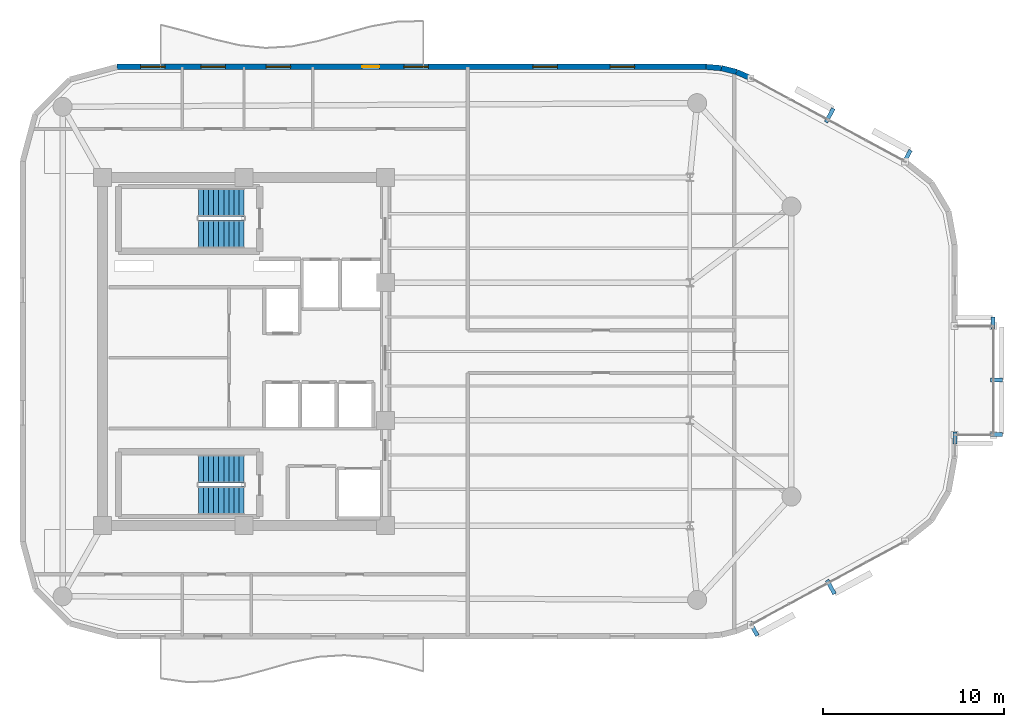
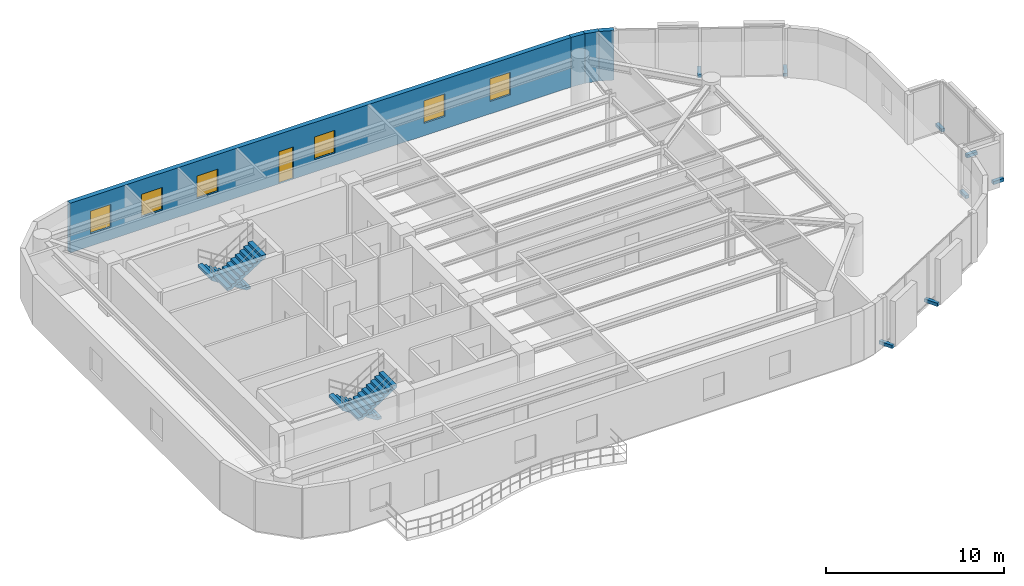
# One storey, part 12 of 14: 8 discrete accessories, 6 windows, 4 stair flights, 4 walls, 1 door, 7 openings, 2 elements without a shape of their own.
"""IFC4 building model written with IfcOpenShell, lengths in metres."""

from ifc_helpers import new_model, si_unit, direction, frame, frame_2d, origin, origin_2d, place, context, subcontext, project, spatial, polyline, rectangle, outline, extrude, material, layer, layer_set, type_object, element, fill, aggregate, save


model = new_model("IFC4")

# Units and contexts
model_context = context("Model", 3, precision=1e-05, world=origin(), true_north=direction((0.0, 1.0)))
body_context = subcontext(model_context, "Body", "Model", "MODEL_VIEW")
ifc_project = project(units=[si_unit("LENGTHUNIT", "METRE"), si_unit("AREAUNIT", "SQUARE_METRE"), si_unit("VOLUMEUNIT", "CUBIC_METRE"), si_unit("PLANEANGLEUNIT", "RADIAN"), si_unit("MASSUNIT", "GRAM", prefix="KILO")], contexts=[model_context])

# Site, building, storey
site_placement = place(None, origin())
site = spatial("IfcSite", under=ifc_project, at=site_placement, CompositionType="ELEMENT")
building_placement = place(site_placement, origin())
building = spatial("IfcBuilding", under=site, at=building_placement, Name="An Khanh Terracotta Commons", CompositionType="ELEMENT")
storey_placement = place(building_placement, frame((0.0, 0.0, 240.89990234375)))
storey = spatial("IfcBuildingStorey", under=building, at=storey_placement, Name="L63", CompositionType="ELEMENT", Elevation=240.89990234375)

# Walls
ifc_material_1 = material(Name="Precast concrete C40/50", Category="concrete")
ifc_layer = layer(ifc_material_1, 0.300048828125, Name="Precast concrete C40/50")
ifc_layer_set = layer_set([ifc_layer], Name="Precast concrete C40/50")
wall_type = type_object("IfcWallType", Name="WALL-EXT-300", PredefinedType="SOLIDWALL", material=ifc_layer_set)
wall_1_placement = place(storey_placement, frame((57.35693359375, 39.074951171875, 0.0), z_axis=(0.0, 0.0, 1.0), x_axis=(-0.916085473636, 0.400983048261, 0.0)))
element("IfcWall", 1, at=wall_1_placement, inside=storey, type_object=wall_type, Name="L63 Insulated Terracotta Exterior Wall 17", PredefinedType="SOLIDWALL", context=body_context, shape_type="SweptSolid", body=[
    extrude(rectangle(XDim=0.85791015625, YDim=0.300048828125, at=frame_2d((0.428955078125, 0.0))), origin(), (0.0, 0.0, 1.0), 3.400146484375),
])
wall_2_placement = place(storey_placement, frame((56.571044921875, 39.4189453125, 0.0), z_axis=(0.0, 0.0, 1.0), x_axis=(-0.969536346338, 0.244947490555, 0.0)))
element("IfcWall", 2, at=wall_2_placement, inside=storey, type_object=wall_type, Name="L63 Insulated Terracotta Exterior Wall 18", PredefinedType="SOLIDWALL", context=body_context, shape_type="SweptSolid", body=[
    extrude(rectangle(XDim=0.857177734375, YDim=0.300048828125, at=frame_2d((0.4287109375, 0.0))), origin(), (0.0, 0.0, 1.0), 3.400146484375),
])
wall_3_placement = place(storey_placement, frame((55.739990234375, 39.62890625, 0.0), z_axis=(0.0, 0.0, 1.0), x_axis=(-0.996565355958, 0.082809971041, 0.0)))
element("IfcWall", 3, at=wall_3_placement, inside=storey, type_object=wall_type, Name="L63 Insulated Terracotta Exterior Wall 19", PredefinedType="SOLIDWALL", context=body_context, shape_type="SweptSolid", body=[
    extrude(rectangle(XDim=0.85791015625, YDim=0.300048828125, at=frame_2d((0.428955078125, 0.0))), origin(), (0.0, 0.0, 1.0), 3.400146484375),
])

# Wall, openings, door, windows
wall_4_placement = place(storey_placement, frame((54.885009765625, 39.699951171875, 0.0), z_axis=(0.0, 0.0, 1.0), x_axis=(-1.0, 0.0, 0.0)))
wall_4 = element("IfcWall", 4, at=wall_4_placement, inside=storey, type_object=wall_type, Name="L63 Insulated Terracotta Exterior Wall 20", PredefinedType="SOLIDWALL", context=body_context, shape_type="SweptSolid", body=[
    extrude(rectangle(XDim=32.485107421875, YDim=0.300048828125, at=frame_2d((16.24267578125, 0.0))), origin(), (0.0, 0.0, 1.0), 3.400146484375),
])
opening_1_placement = place(wall_4_placement, frame((18.010009765625, 0.0, 0.0)))
opening_1 = element("IfcOpeningElement", 5, at=opening_1_placement, cuts=wall_4, Name="Opening D-BAL", PredefinedType="OPENING", context=body_context, shape_type="SweptSolid", body=[
    extrude(rectangle(XDim=0.949951171875, YDim=2.199951171875, at=frame_2d((0.47509765625, 1.10009765625))), frame((0.0, 0.159912109375, 0.0), z_axis=(0.0, -1.0, 0.0), x_axis=(1.0, 0.0, 0.0)), (0.0, 0.0, 1.0), 0.320068359375),
])
opening_2_placement = place(wall_4_placement, frame((3.93701171875, 0.0, 0.85009765625)))
opening_2 = element("IfcOpeningElement", 6, at=opening_2_placement, cuts=wall_4, Name="Opening W-04", PredefinedType="OPENING", context=body_context, shape_type="SweptSolid", body=[
    extrude(rectangle(XDim=1.35009765625, YDim=1.550048828125, at=frame_2d((0.675048828125, 0.77490234375))), frame((0.0, 0.159912109375, 0.0), z_axis=(0.0, -1.0, 0.0), x_axis=(1.0, 0.0, 0.0)), (0.0, 0.0, 1.0), 0.320068359375),
])
opening_3_placement = place(wall_4_placement, frame((8.197998046875, 0.0, 0.85009765625)))
opening_3 = element("IfcOpeningElement", 7, at=opening_3_placement, cuts=wall_4, Name="Opening W-04", PredefinedType="OPENING", context=body_context, shape_type="SweptSolid", body=[
    extrude(rectangle(XDim=1.35009765625, YDim=1.550048828125, at=frame_2d((0.675048828125, 0.77490234375))), frame((0.0, 0.159912109375, 0.0), z_axis=(0.0, -1.0, 0.0), x_axis=(1.0, 0.0, 0.0)), (0.0, 0.0, 1.0), 0.320068359375),
])
opening_4_placement = place(wall_4_placement, frame((15.31005859375, 0.0, 0.85009765625)))
opening_4 = element("IfcOpeningElement", 8, at=opening_4_placement, cuts=wall_4, Name="Opening W-04", PredefinedType="OPENING", context=body_context, shape_type="SweptSolid", body=[
    extrude(rectangle(XDim=1.35009765625, YDim=1.550048828125, at=frame_2d((0.675048828125, 0.77490234375))), frame((0.0, 0.159912109375, 0.0), z_axis=(0.0, -1.0, 0.0), x_axis=(1.0, 0.0, 0.0)), (0.0, 0.0, 1.0), 0.320068359375),
])
opening_5_placement = place(wall_4_placement, frame((22.909912109375, 0.0, 0.85009765625)))
opening_5 = element("IfcOpeningElement", 9, at=opening_5_placement, cuts=wall_4, Name="Opening W-04", PredefinedType="OPENING", context=body_context, shape_type="SweptSolid", body=[
    extrude(rectangle(XDim=1.35009765625, YDim=1.550048828125, at=frame_2d((0.675048828125, 0.77490234375))), frame((0.0, 0.159912109375, 0.0), z_axis=(0.0, -1.0, 0.0), x_axis=(1.0, 0.0, 0.0)), (0.0, 0.0, 1.0), 0.320068359375),
])
opening_6_placement = place(wall_4_placement, frame((26.510009765625, 0.0, 0.85009765625)))
opening_6 = element("IfcOpeningElement", 10, at=opening_6_placement, cuts=wall_4, Name="Opening W-04", PredefinedType="OPENING", context=body_context, shape_type="SweptSolid", body=[
    extrude(rectangle(XDim=1.35009765625, YDim=1.550048828125, at=frame_2d((0.675048828125, 0.77490234375))), frame((0.0, 0.159912109375, 0.0), z_axis=(0.0, -1.0, 0.0), x_axis=(1.0, 0.0, 0.0)), (0.0, 0.0, 1.0), 0.320068359375),
])
opening_7_placement = place(wall_4_placement, frame((29.8349609375, 0.0, 0.85009765625)))
opening_7 = element("IfcOpeningElement", 11, at=opening_7_placement, cuts=wall_4, Name="Opening W-04", PredefinedType="OPENING", context=body_context, shape_type="SweptSolid", body=[
    extrude(rectangle(XDim=1.35009765625, YDim=1.550048828125, at=frame_2d((0.675048828125, 0.77490234375))), frame((0.0, 0.159912109375, 0.0), z_axis=(0.0, -1.0, 0.0), x_axis=(1.0, 0.0, 0.0)), (0.0, 0.0, 1.0), 0.320068359375),
])
ifc_material_2 = material(Name="Thermally Broken Aluminium and Low-E Glass", Category="aluminium")
door_type = type_object("IfcDoorType", Name="DOOR-BALC-950", OperationType="NOTDEFINED", PredefinedType="DOOR", material=ifc_material_2)
door_placement = place(opening_1_placement, origin())
door = element("IfcDoor", 12, at=door_placement, inside=storey, type_object=door_type, Name="L63 N Wave Balcony Glazed Door", OperationType="SINGLE_SWING_RIGHT", OverallHeight=2.199951171875, OverallWidth=0.949951171875, PredefinedType="DOOR", context=body_context, shape_type="SweptSolid", body=[
    extrude(rectangle(XDim=0.949951171875, YDim=2.199951171875, at=frame_2d((0.47509765625, 1.10009765625))), frame((0.0, 0.02490234375, 0.0), z_axis=(0.0, -1.0, 0.0), x_axis=(1.0, 0.0, 0.0)), (0.0, 0.0, 1.0), 0.050048828125),
])
fill(opening_1, door)
window_type = type_object("IfcWindowType", Name="WIN-Z4-1350x1550", PartitioningType="SINGLE_PANEL", PredefinedType="WINDOW", material=ifc_material_2)
window_1_placement = place(opening_2_placement, origin())
window_1 = element("IfcWindow", 13, at=window_1_placement, inside=storey, type_object=window_type, Name="L63 Operable Casement Window 20.1", OverallHeight=1.550048828125, OverallWidth=1.35009765625, PartitioningType="SINGLE_PANEL", PredefinedType="WINDOW", context=body_context, shape_type="SweptSolid", body=[
    extrude(rectangle(XDim=1.35009765625, YDim=1.550048828125, at=frame_2d((0.675048828125, 0.77490234375))), frame((0.0, 0.030029296875, 0.0), z_axis=(0.0, -1.0, 0.0), x_axis=(1.0, 0.0, 0.0)), (0.0, 0.0, 1.0), 0.06005859375),
])
fill(opening_2, window_1)
window_2_placement = place(opening_3_placement, origin())
window_2 = element("IfcWindow", 14, at=window_2_placement, inside=storey, type_object=window_type, Name="L63 Operable Casement Window 20.2", OverallHeight=1.550048828125, OverallWidth=1.35009765625, PartitioningType="SINGLE_PANEL", PredefinedType="WINDOW", context=body_context, shape_type="SweptSolid", body=[
    extrude(rectangle(XDim=1.35009765625, YDim=1.550048828125, at=frame_2d((0.675048828125, 0.77490234375))), frame((0.0, 0.030029296875, 0.0), z_axis=(0.0, -1.0, 0.0), x_axis=(1.0, 0.0, 0.0)), (0.0, 0.0, 1.0), 0.06005859375),
])
fill(opening_3, window_2)
window_3_placement = place(opening_4_placement, origin())
window_3 = element("IfcWindow", 15, at=window_3_placement, inside=storey, type_object=window_type, Name="L63 Operable Casement Window 20.3", OverallHeight=1.550048828125, OverallWidth=1.35009765625, PartitioningType="SINGLE_PANEL", PredefinedType="WINDOW", context=body_context, shape_type="SweptSolid", body=[
    extrude(rectangle(XDim=1.35009765625, YDim=1.550048828125, at=frame_2d((0.675048828125, 0.77490234375))), frame((0.0, 0.030029296875, 0.0), z_axis=(0.0, -1.0, 0.0), x_axis=(1.0, 0.0, 0.0)), (0.0, 0.0, 1.0), 0.06005859375),
])
fill(opening_4, window_3)
window_4_placement = place(opening_5_placement, origin())
window_4 = element("IfcWindow", 16, at=window_4_placement, inside=storey, type_object=window_type, Name="L63 Operable Casement Window 20.4", OverallHeight=1.550048828125, OverallWidth=1.35009765625, PartitioningType="SINGLE_PANEL", PredefinedType="WINDOW", context=body_context, shape_type="SweptSolid", body=[
    extrude(rectangle(XDim=1.35009765625, YDim=1.550048828125, at=frame_2d((0.675048828125, 0.77490234375))), frame((0.0, 0.030029296875, 0.0), z_axis=(0.0, -1.0, 0.0), x_axis=(1.0, 0.0, 0.0)), (0.0, 0.0, 1.0), 0.06005859375),
])
fill(opening_5, window_4)
window_5_placement = place(opening_6_placement, origin())
window_5 = element("IfcWindow", 17, at=window_5_placement, inside=storey, type_object=window_type, Name="L63 Operable Casement Window 20.5", OverallHeight=1.550048828125, OverallWidth=1.35009765625, PartitioningType="SINGLE_PANEL", PredefinedType="WINDOW", context=body_context, shape_type="SweptSolid", body=[
    extrude(rectangle(XDim=1.35009765625, YDim=1.550048828125, at=frame_2d((0.675048828125, 0.77490234375))), frame((0.0, 0.030029296875, 0.0), z_axis=(0.0, -1.0, 0.0), x_axis=(1.0, 0.0, 0.0)), (0.0, 0.0, 1.0), 0.06005859375),
])
fill(opening_6, window_5)
window_6_placement = place(opening_7_placement, origin())
window_6 = element("IfcWindow", 18, at=window_6_placement, inside=storey, type_object=window_type, Name="L63 Operable Casement Window 20.6", OverallHeight=1.550048828125, OverallWidth=1.35009765625, PartitioningType="SINGLE_PANEL", PredefinedType="WINDOW", context=body_context, shape_type="SweptSolid", body=[
    extrude(rectangle(XDim=1.35009765625, YDim=1.550048828125, at=frame_2d((0.675048828125, 0.77490234375))), frame((0.0, 0.030029296875, 0.0), z_axis=(0.0, -1.0, 0.0), x_axis=(1.0, 0.0, 0.0)), (0.0, 0.0, 1.0), 0.06005859375),
])
fill(opening_7, window_6)

# Stair, stair flights
stair_type = type_object("IfcStairType", Name="STAIR-CORE-1550", PredefinedType="HALF_TURN_STAIR", material=ifc_material_1)
stair_1_placement = place(storey_placement, origin())
stair_1 = element("IfcStair", 19, at=stair_1_placement, inside=storey, type_object=stair_type, Name="L63 Core Smokeproof Exit Stair ST-01", PredefinedType="HALF_TURN_STAIR")
stair_flight_type = type_object("IfcStairFlightType", Name="FLIGHT-CORE-1550", PredefinedType="STRAIGHT", material=ifc_material_1)
stair_flight_1_placement = place(storey_placement, frame((29.409912109375, 32.22509765625, 0.0), z_axis=(0.0, 0.0, 1.0), x_axis=(-1.0, 0.0, 0.0)))
stair_flight_1 = element("IfcStairFlight", 20, at=stair_flight_1_placement, type_object=stair_flight_type, Name="ST-01 flight 1", NumberOfRisers=10, NumberOfTreads=9, PredefinedType="STRAIGHT", RiserHeight=0.18, TreadLength=0.28, context=body_context, shape_type="SweptSolid", body=[
    extrude(outline(polyline([(0.0, 0.0), (0.0, 0.179931640625), (0.280029296875, 0.179931640625), (0.280029296875, 0.360107421875), (0.56005859375, 0.360107421875), (0.56005859375, 0.5400390625), (0.840087890625, 0.5400390625), (0.840087890625, 0.719970703125), (1.1201171875, 0.719970703125), (1.1201171875, 0.89990234375), (1.39990234375, 0.89990234375), (1.39990234375, 1.080078125), (1.679931640625, 1.080078125), (1.679931640625, 1.260009765625), (1.9599609375, 1.260009765625), (1.9599609375, 1.43994140625), (2.239990234375, 1.43994140625), (2.239990234375, 1.6201171875), (2.52001953125, 1.6201171875), (2.52001953125, 1.800048828125), (2.52001953125, 1.44189453125), (0.277099609375, 0.0), (0.0, 0.0)])), frame((0.0, 0.77490234375, 0.0), z_axis=(0.0, -1.0, 0.0), x_axis=(1.0, 0.0, 0.0)), (0.0, 0.0, 1.0), 1.550048828125),
])
stair_flight_2_placement = place(storey_placement, frame((26.889892578125, 30.47509765625, 1.800048828125), z_axis=(0.0, 0.0, 1.0), x_axis=(1.0, 0.0, 0.0)))
stair_flight_2 = element("IfcStairFlight", 21, at=stair_flight_2_placement, type_object=stair_flight_type, Name="ST-01 flight 2", NumberOfRisers=10, NumberOfTreads=9, PredefinedType="STRAIGHT", RiserHeight=0.18, TreadLength=0.28, context=body_context, shape_type="SweptSolid", body=[
    extrude(outline(polyline([(0.0, 0.0), (0.0, 0.179931640625), (0.280029296875, 0.179931640625), (0.280029296875, 0.360107421875), (0.56005859375, 0.360107421875), (0.56005859375, 0.5400390625), (0.840087890625, 0.5400390625), (0.840087890625, 0.719970703125), (1.1201171875, 0.719970703125), (1.1201171875, 0.89990234375), (1.39990234375, 0.89990234375), (1.39990234375, 1.080078125), (1.679931640625, 1.080078125), (1.679931640625, 1.260009765625), (1.9599609375, 1.260009765625), (1.9599609375, 1.43994140625), (2.239990234375, 1.43994140625), (2.239990234375, 1.6201171875), (2.52001953125, 1.6201171875), (2.52001953125, 1.800048828125), (2.52001953125, 1.44189453125), (0.277099609375, 0.0), (0.0, 0.0)])), frame((0.0, 0.77490234375, 0.0), z_axis=(0.0, -1.0, 0.0), x_axis=(1.0, 0.0, 0.0)), (0.0, 0.0, 1.0), 1.550048828125),
])
aggregate(stair_1, [stair_flight_1, stair_flight_2])

stair_2_placement = place(storey_placement, origin())
stair_2 = element("IfcStair", 22, at=stair_2_placement, inside=storey, type_object=stair_type, Name="L63 Core Smokeproof Exit Stair ST-02", PredefinedType="HALF_TURN_STAIR")
stair_flight_3_placement = place(storey_placement, frame((29.409912109375, 17.52490234375, 0.0), z_axis=(0.0, 0.0, 1.0), x_axis=(-1.0, 0.0, 0.0)))
stair_flight_3 = element("IfcStairFlight", 23, at=stair_flight_3_placement, type_object=stair_flight_type, Name="ST-02 flight 1", NumberOfRisers=10, NumberOfTreads=9, PredefinedType="STRAIGHT", RiserHeight=0.18, TreadLength=0.28, context=body_context, shape_type="SweptSolid", body=[
    extrude(outline(polyline([(0.0, 0.0), (0.0, 0.179931640625), (0.280029296875, 0.179931640625), (0.280029296875, 0.360107421875), (0.56005859375, 0.360107421875), (0.56005859375, 0.5400390625), (0.840087890625, 0.5400390625), (0.840087890625, 0.719970703125), (1.1201171875, 0.719970703125), (1.1201171875, 0.89990234375), (1.39990234375, 0.89990234375), (1.39990234375, 1.080078125), (1.679931640625, 1.080078125), (1.679931640625, 1.260009765625), (1.9599609375, 1.260009765625), (1.9599609375, 1.43994140625), (2.239990234375, 1.43994140625), (2.239990234375, 1.6201171875), (2.52001953125, 1.6201171875), (2.52001953125, 1.800048828125), (2.52001953125, 1.44189453125), (0.277099609375, 0.0), (0.0, 0.0)])), frame((0.0, 0.77490234375, 0.0), z_axis=(0.0, -1.0, 0.0), x_axis=(1.0, 0.0, 0.0)), (0.0, 0.0, 1.0), 1.550048828125),
])
stair_flight_4_placement = place(storey_placement, frame((26.889892578125, 15.77490234375, 1.800048828125), z_axis=(0.0, 0.0, 1.0), x_axis=(1.0, 0.0, 0.0)))
stair_flight_4 = element("IfcStairFlight", 24, at=stair_flight_4_placement, type_object=stair_flight_type, Name="ST-02 flight 2", NumberOfRisers=10, NumberOfTreads=9, PredefinedType="STRAIGHT", RiserHeight=0.18, TreadLength=0.28, context=body_context, shape_type="SweptSolid", body=[
    extrude(outline(polyline([(0.0, 0.0), (0.0, 0.179931640625), (0.280029296875, 0.179931640625), (0.280029296875, 0.360107421875), (0.56005859375, 0.360107421875), (0.56005859375, 0.5400390625), (0.840087890625, 0.5400390625), (0.840087890625, 0.719970703125), (1.1201171875, 0.719970703125), (1.1201171875, 0.89990234375), (1.39990234375, 0.89990234375), (1.39990234375, 1.080078125), (1.679931640625, 1.080078125), (1.679931640625, 1.260009765625), (1.9599609375, 1.260009765625), (1.9599609375, 1.43994140625), (2.239990234375, 1.43994140625), (2.239990234375, 1.6201171875), (2.52001953125, 1.6201171875), (2.52001953125, 1.800048828125), (2.52001953125, 1.44189453125), (0.277099609375, 0.0), (0.0, 0.0)])), frame((0.0, 0.77490234375, 0.0), z_axis=(0.0, -1.0, 0.0), x_axis=(1.0, 0.0, 0.0)), (0.0, 0.0, 1.0), 1.550048828125),
])
aggregate(stair_2, [stair_flight_3, stair_flight_4])

# Discrete accessories
ifc_material_3 = material(Name="Stainless Steel Grade 316L", Category="steel")
discrete_accessory_type = type_object("IfcDiscreteAccessoryType", Name="Stainless Outrigger Facade Bracket", PredefinedType="BRACKET", material=ifc_material_3)
for number, where, z_axis, x_axis, name in (
    (25, (57.513916015625, 8.7080078125, 0.0703125), (0.0, 0.0, 1.0), (0.879780095306, 0.47538088298, 0.0), "L63 Terracotta Screen Outrigger Bracket 1"),
    (26, (61.77099609375, 11.009033203125, 0.0703125), (0.0, 0.0, 1.0), (0.879780095306, 0.47538088298, 0.0), "L63 Terracotta Screen Outrigger Bracket 3"),
):
    element("IfcDiscreteAccessory", number, at=place(storey_placement, frame(where, z_axis=z_axis, x_axis=x_axis)), inside=storey, type_object=discrete_accessory_type, Name=name, PredefinedType="BRACKET", context=body_context, shape_type="SweptSolid", body=[
        extrude(rectangle(XDim=0.219970703125, YDim=0.8701171875, at=origin_2d()), origin(), (0.0, 0.0, 1.0), 0.219970703125),
    ])
for number, where, z_axis, x_axis, name in (
    (27, (70.9150390625, 19.431884765625, 0.0703125), (0.0, 0.0, 1.0), (0.0, 1.0, 0.0), "L63 Terracotta Screen Outrigger Bracket 1"),
    (28, (70.9150390625, 22.431884765625, 0.0703125), (0.0, 0.0, 1.0), (0.0, 1.0, 0.0), "L63 Terracotta Screen Outrigger Bracket 2"),
    (29, (68.632080078125, 19.235107421875, 0.0703125), (0.0, 0.0, 1.0), (1.0, 0.0, 0.0), "L63 Terracotta Screen Outrigger Bracket 1"),
    (30, (70.718017578125, 25.56494140625, 0.0703125), (0.0, 0.0, 1.0), (-1.0, 0.0, 0.0), "L63 Terracotta Screen Outrigger Bracket 1"),
):
    element("IfcDiscreteAccessory", number, at=place(storey_placement, frame(where, z_axis=z_axis, x_axis=x_axis)), inside=storey, type_object=discrete_accessory_type, Name=name, PredefinedType="BRACKET", context=body_context, shape_type="SweptSolid", body=[
        extrude(rectangle(XDim=0.219970703125, YDim=0.669921875, at=origin_2d()), origin(), (0.0, 0.0, 1.0), 0.219970703125),
    ])
for number, where, z_axis, x_axis, name in (
    (31, (65.967041015625, 34.72412109375, 0.0703125), (0.0, 0.0, 1.0), (-0.879780095306, 0.47538088298, 0.0), "L63 Terracotta Screen Outrigger Bracket 1"),
    (32, (61.7099609375, 37.02392578125, 0.0703125), (0.0, 0.0, 1.0), (-0.879780095306, 0.47538088298, 0.0), "L63 Terracotta Screen Outrigger Bracket 3"),
):
    element("IfcDiscreteAccessory", number, at=place(storey_placement, frame(where, z_axis=z_axis, x_axis=x_axis)), inside=storey, type_object=discrete_accessory_type, Name=name, PredefinedType="BRACKET", context=body_context, shape_type="SweptSolid", body=[
        extrude(rectangle(XDim=0.219970703125, YDim=0.8701171875, at=origin_2d()), origin(), (0.0, 0.0, 1.0), 0.219970703125),
    ])

save(model, "model.ifc")
